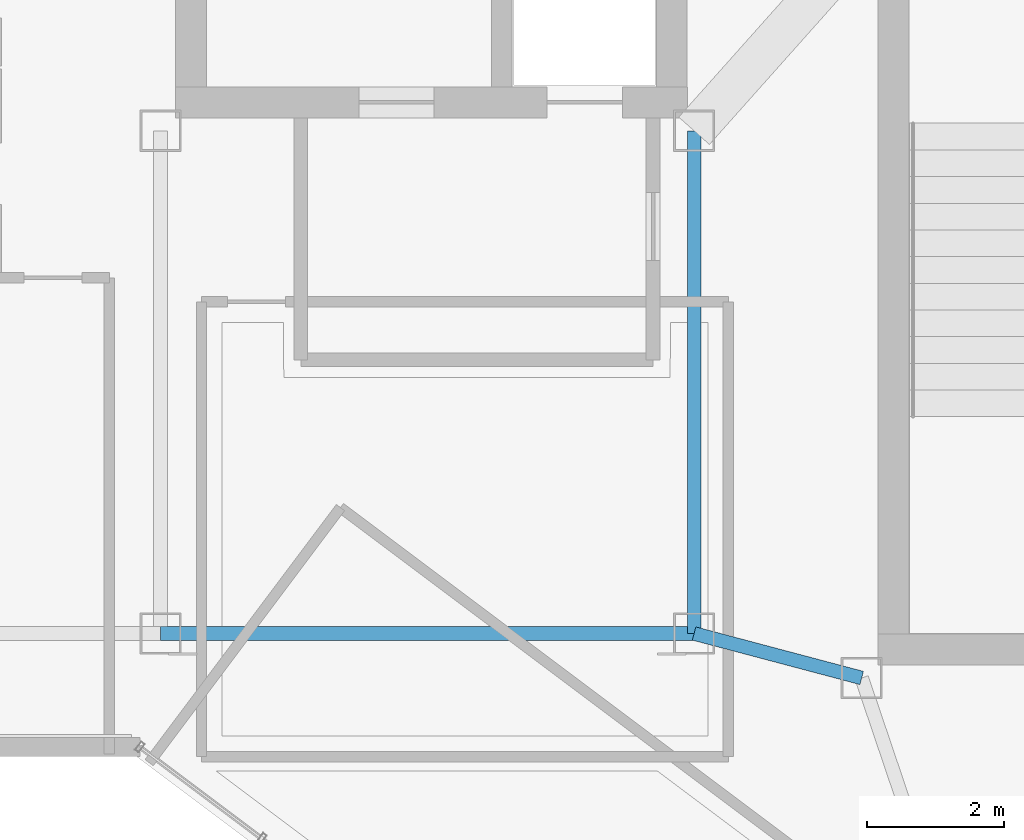
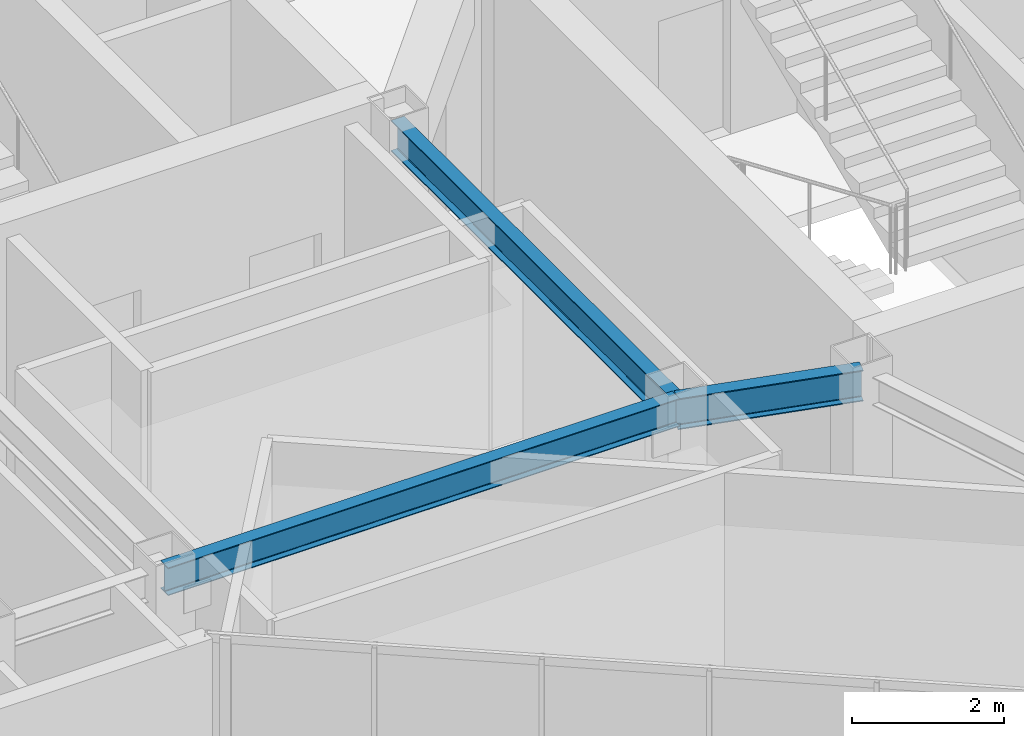
# One storey, part 6 of 30: 3 beams.
"""IFC4 building model written with IfcOpenShell, lengths in metres."""

from ifc_helpers import new_model, si_unit, direction, frame, origin, origin_2d, place, context, subcontext, project, spatial, i_section, extrude, material, material_profile, profile_set, type_object, element, save


model = new_model("IFC4")

# Units and contexts
model_context = context("Model", 3, precision=1e-05, world=origin(), true_north=direction((0.0, 1.0)))
body_context = subcontext(model_context, "Body", "Model", "MODEL_VIEW")
ifc_project = project(units=[si_unit("LENGTHUNIT", "METRE"), si_unit("AREAUNIT", "SQUARE_METRE"), si_unit("VOLUMEUNIT", "CUBIC_METRE"), si_unit("PLANEANGLEUNIT", "RADIAN"), si_unit("MASSUNIT", "GRAM", prefix="KILO")], contexts=[model_context])

# Site, building, storey
site_placement = place(None, origin())
site = spatial("IfcSite", under=ifc_project, at=site_placement, CompositionType="ELEMENT")
building_placement = place(site_placement, origin())
building = spatial("IfcBuilding", under=site, at=building_placement, Name="Hatsunagi Terrace Concourse", CompositionType="ELEMENT")
storey_placement = place(building_placement, frame((0.0, 0.0, 273.949951171875)))
storey = spatial("IfcBuildingStorey", under=building, at=storey_placement, Name="L72", CompositionType="ELEMENT", Elevation=273.949951171875)

# Beams
ifc_material_1 = material(Name="Steel SN490B", Category="steel")
ifc_material_profile_1 = material_profile(ifc_material_1, i_section(OverallWidth=0.199951171875, OverallDepth=0.5, WebThickness=0.010009765625, FlangeThickness=0.01611328125, FilletRadius=0.01611328125, at=origin_2d()), Name="H-500x200x10x16")
ifc_profile_set_1 = profile_set([ifc_material_profile_1], Name="Steel SN490B")
beam_type_1 = type_object("IfcBeamType", Name="CrownFloorGirder_H_500x200", PredefinedType="BEAM", material=ifc_profile_set_1)
beam_1_placement = place(storey_placement, frame((33.35009765625, 25.199951171875, 3.5), z_axis=(0.0, 1.0, 0.0), x_axis=(-1.0, 0.0, 0.0)))
element("IfcBeam", 1, at=beam_1_placement, inside=storey, type_object=beam_type_1, Name="Beam G-07 BM-L72-K2CA", PredefinedType="BEAM", context=body_context, shape_type="SweptSolid", body=[
    extrude(i_section(OverallWidth=0.199951171875, OverallDepth=0.5, WebThickness=0.010009765625, FlangeThickness=0.01611328125, FilletRadius=0.01611328125, at=origin_2d()), origin(), (0.0, 0.0, 1.0), 7.35009765625),
])
beam_2_placement = place(storey_placement, frame((33.35009765625, 25.199951171875, 3.5), z_axis=(0.966569840116, -0.256403479262, 0.0), x_axis=(0.256403479262, 0.966569840116, 0.0)))
element("IfcBeam", 2, at=beam_2_placement, inside=storey, type_object=beam_type_1, Name="Beam G-07 BM-L72-K2CB", PredefinedType="BEAM", context=body_context, shape_type="SweptSolid", body=[
    extrude(i_section(OverallWidth=0.199951171875, OverallDepth=0.5, WebThickness=0.010009765625, FlangeThickness=0.01611328125, FilletRadius=0.01611328125, at=origin_2d()), origin(), (0.0, 0.0, 1.0), 2.53466796875),
])
ifc_material_2 = material(Name="Steel SN490B", Category="steel")
ifc_material_profile_2 = material_profile(ifc_material_2, i_section(OverallWidth=0.199951171875, OverallDepth=0.449951171875, WebThickness=0.009033203125, FlangeThickness=0.013916015625, FilletRadius=0.01611328125, at=origin_2d()), Name="H-450x200x9x14")
ifc_profile_set_2 = profile_set([ifc_material_profile_2], Name="Steel SN490B")
beam_type_2 = type_object("IfcBeamType", Name="PerimeterSpandrel_H_450x200", PredefinedType="SPANDREL", material=ifc_profile_set_2)
beam_3_placement = place(storey_placement, frame((25.550048828125, 25.199951171875, 3.525146484375), z_axis=(1.0, 0.0, 0.0), x_axis=(0.0, 1.0, 0.0)))
element("IfcBeam", 3, at=beam_3_placement, inside=storey, type_object=beam_type_2, Name="Beam SP-02 BM-L72-WS-25", PredefinedType="SPANDREL", context=body_context, shape_type="SweptSolid", body=[
    extrude(i_section(OverallWidth=0.199951171875, OverallDepth=0.449951171875, WebThickness=0.009033203125, FlangeThickness=0.013916015625, FilletRadius=0.01611328125, at=origin_2d()), origin(), (0.0, 0.0, 1.0), 7.800048828125),
])

save(model, "model.ifc")
